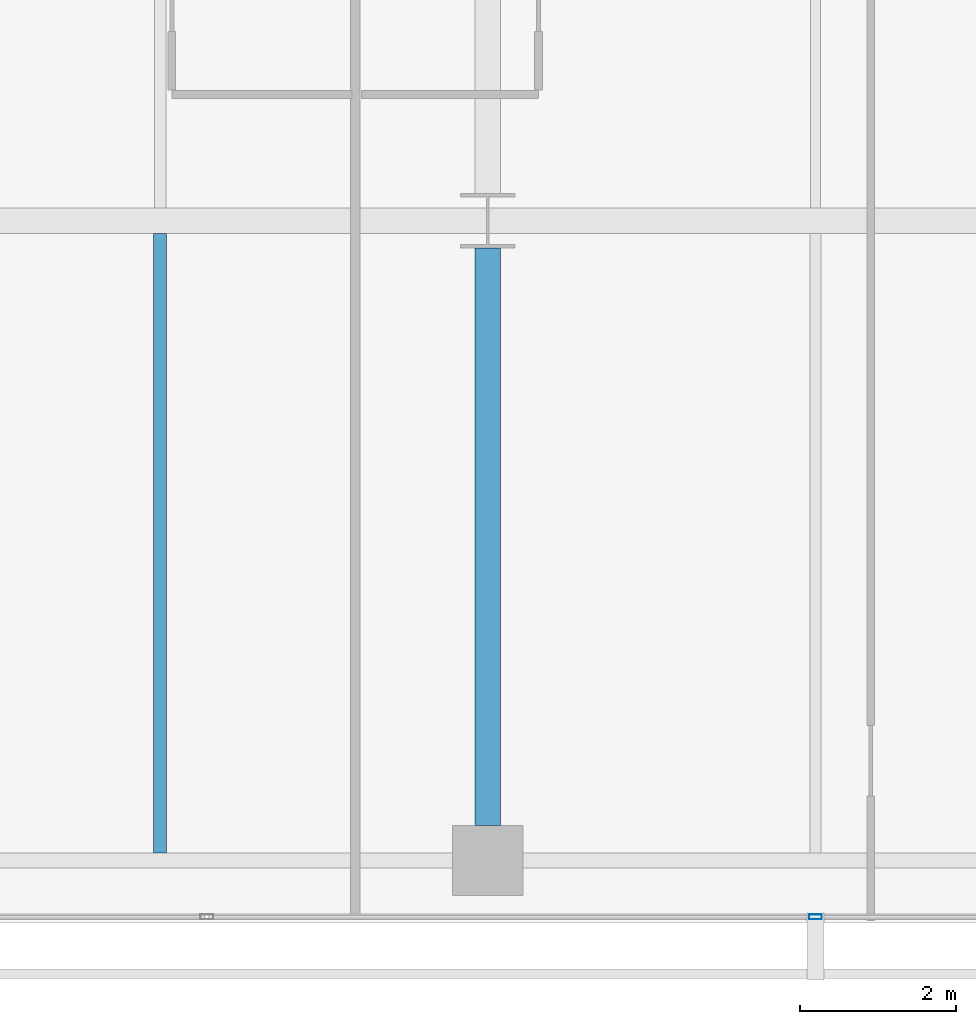
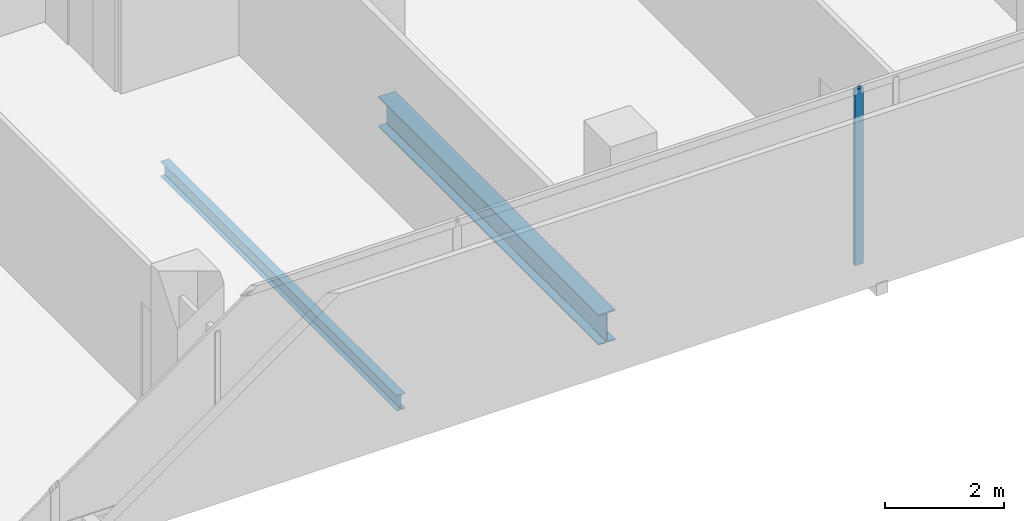
# One storey, part 8 of 39: 2 beams, 1 member, 1 element without a shape of its own.
"""IFC4 building model written with IfcOpenShell, lengths in metres."""

from ifc_helpers import new_model, si_unit, direction, frame, origin, origin_2d, place, context, subcontext, project, spatial, hollow_rectangle, i_section, extrude, material, layer, layer_set, material_profile, profile_set, type_object, element, aggregate, save


model = new_model("IFC4")

# Units and contexts
model_context = context("Model", 3, precision=1e-05, world=origin(), true_north=direction((0.0, 1.0)))
body_context = subcontext(model_context, "Body", "Model", "MODEL_VIEW")
ifc_project = project(units=[si_unit("LENGTHUNIT", "METRE"), si_unit("AREAUNIT", "SQUARE_METRE"), si_unit("VOLUMEUNIT", "CUBIC_METRE"), si_unit("PLANEANGLEUNIT", "RADIAN"), si_unit("MASSUNIT", "GRAM", prefix="KILO")], contexts=[model_context])

# Site, building, storey
site_placement = place(None, origin())
site = spatial("IfcSite", under=ifc_project, at=site_placement, CompositionType="ELEMENT")
building_placement = place(site_placement, origin())
building = spatial("IfcBuilding", under=site, at=building_placement, Name="Maruvema Waterfront Hotel and Observation Tower", CompositionType="ELEMENT")
storey_placement = place(building_placement, frame((0.0, 0.0, 65.449951171875)))
storey = spatial("IfcBuildingStorey", under=building, at=storey_placement, Name="L15", CompositionType="ELEMENT", Elevation=65.449951171875)

# Curtain wall, member
ifc_material_1 = material(Name="Anodised bronze aluminium and solar-control low-E IGU", Category="aluminium")
ifc_layer = layer(ifc_material_1, 0.159912109375, Name="Zone 1 Bronze Inner Thermal Curtain Wall System CW-02")
ifc_layer_set = layer_set([ifc_layer], Name="Anodised bronze aluminium and solar-control low-E IGU")
curtain_wall_type = type_object("IfcCurtainWallType", Name="Zone 1 Bronze Inner Thermal Curtain Wall System CW-02", PredefinedType="USERDEFINED", material=ifc_layer_set)
curtain_wall_placement = place(storey_placement, origin())
curtain_wall = element("IfcCurtainWall", 1, at=curtain_wall_placement, inside=storey, type_object=curtain_wall_type, Name="L15 Curtain Wall CW-L15-S", ObjectType="UNITISED CURTAIN WALL", PredefinedType="USERDEFINED")
ifc_material_2 = material(Name="Anodised architectural bronze aluminium", Category="aluminium")
ifc_material_profile_1 = material_profile(ifc_material_2, hollow_rectangle(XDim=0.06494140625, YDim=0.1650390625, WallThickness=0.00390625, at=origin_2d()), Name="ALU-M65x165")
ifc_profile_set_1 = profile_set([ifc_material_profile_1], Name="Anodised architectural bronze aluminium")
member_type = type_object("IfcMemberType", Name="Curtain Wall Primary Mullion ALU-M65x165", PredefinedType="MULLION", material=ifc_profile_set_1)
member_placement = place(storey_placement, frame((37.800048828125, 0.080078125, 0.0), z_axis=(0.0, 0.0, 1.0), x_axis=(0.0, 1.0, 0.0)))
member = element("IfcMember", 2, at=member_placement, type_object=member_type, Name="CW-02 mullion 4", PredefinedType="MULLION", context=body_context, shape_type="SweptSolid", body=[
    extrude(hollow_rectangle(XDim=0.06494140625, YDim=0.1650390625, WallThickness=0.00390625, at=origin_2d()), origin(), (0.0, 0.0, 1.0), 3.610107421875),
])
aggregate(curtain_wall, [member])

# Beams
ifc_material_3 = material(Name="Steel ASTM A572 Grade 50", Category="steel")
ifc_material_profile_2 = material_profile(ifc_material_3, i_section(OverallWidth=0.326904296875, OverallDepth=0.6220703125, WebThickness=0.015380859375, FlangeThickness=0.0244140625, FilletRadius=0.01806640625, at=origin_2d()), Name="W610x195.0")
ifc_profile_set_2 = profile_set([ifc_material_profile_2], Name="Steel ASTM A572 Grade 50")
beam_type_1 = type_object("IfcBeamType", Name="Primary Floor Girder W610x195.0", PredefinedType="BEAM", material=ifc_profile_set_2)
beam_1_placement = place(storey_placement, frame((33.60009765625, 1.25, -0.551025390625), z_axis=(0.0, 1.0, 0.0), x_axis=(-1.0, 0.0, 0.0)))
element("IfcBeam", 3, at=beam_1_placement, inside=storey, type_object=beam_type_1, Name="L15 Floor Girder NS-16", PredefinedType="BEAM", context=body_context, shape_type="SweptSolid", body=[
    extrude(i_section(OverallWidth=0.326904296875, OverallDepth=0.6220703125, WebThickness=0.015380859375, FlangeThickness=0.0244140625, FilletRadius=0.01806640625, at=origin_2d()), origin(), (0.0, 0.0, 1.0), 7.39990234375),
])
ifc_material_4 = material(Name="Steel ASTM A572 Grade 50", Category="steel")
ifc_material_profile_3 = material_profile(ifc_material_4, i_section(OverallWidth=0.1650390625, OverallDepth=0.31005859375, WebThickness=0.005859375, FlangeThickness=0.009765625, FilletRadius=0.012939453125, at=origin_2d()), Name="W310x38.7")
ifc_profile_set_3 = profile_set([ifc_material_profile_3], Name="Steel ASTM A572 Grade 50")
beam_type_2 = type_object("IfcBeamType", Name="Secondary Floor Joist W310x38.7", PredefinedType="JOIST", material=ifc_profile_set_3)
beam_2_placement = place(storey_placement, frame((29.39990234375, 0.89501953125, -0.39501953125), z_axis=(0.0, 1.0, 0.0), x_axis=(-1.0, 0.0, 0.0)))
element("IfcBeam", 4, at=beam_2_placement, inside=storey, type_object=beam_type_2, Name="L15 Secondary Floor Joist JS-10", PredefinedType="JOIST", context=body_context, shape_type="SweptSolid", body=[
    extrude(i_section(OverallWidth=0.1650390625, OverallDepth=0.31005859375, WebThickness=0.005859375, FlangeThickness=0.009765625, FilletRadius=0.012939453125, at=origin_2d()), origin(), (0.0, 0.0, 1.0), 7.94140625),
])

save(model, "model.ifc")
